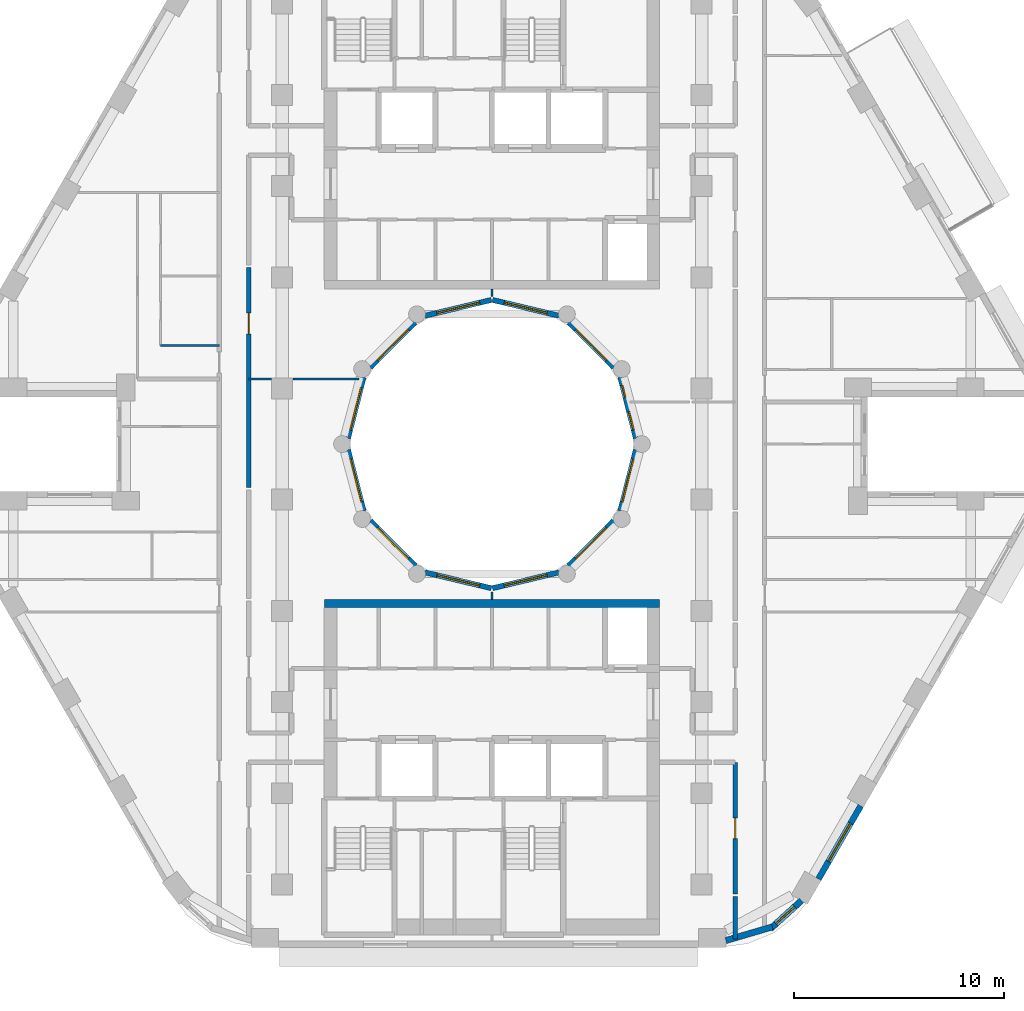
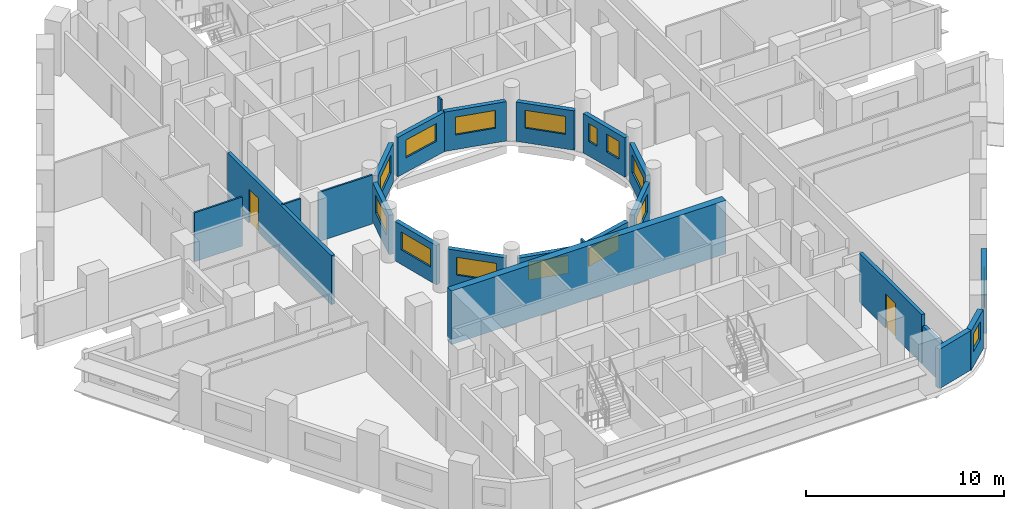
# One storey, part 5 of 14: 24 walls, 15 windows, 2 doors, 17 openings.
"""IFC4 building model written with IfcOpenShell, lengths in metres."""

from ifc_helpers import new_model, si_unit, direction, frame, frame_2d, origin, place, context, subcontext, project, spatial, rectangle, extrude, material, layer, layer_set, type_object, element, fill, save


model = new_model("IFC4")

# Units and contexts
model_context = context("Model", 3, precision=1e-05, world=origin(), true_north=direction((0.0, 1.0)))
body_context = subcontext(model_context, "Body", "Model", "MODEL_VIEW")
ifc_project = project(units=[si_unit("LENGTHUNIT", "METRE"), si_unit("AREAUNIT", "SQUARE_METRE"), si_unit("VOLUMEUNIT", "CUBIC_METRE"), si_unit("PLANEANGLEUNIT", "RADIAN"), si_unit("MASSUNIT", "GRAM", prefix="KILO")], contexts=[model_context])

# Site, building, storey
site_placement = place(None, origin())
site = spatial("IfcSite", under=ifc_project, at=site_placement, CompositionType="ELEMENT")
building_placement = place(site_placement, origin())
building = spatial("IfcBuilding", under=site, at=building_placement, Name="Nakaniwa Court", CompositionType="ELEMENT")
storey_placement = place(building_placement, frame((0.0, 0.0, 160.199951171875)))
storey = spatial("IfcBuildingStorey", under=building, at=storey_placement, Name="L42", CompositionType="ELEMENT", Elevation=160.199951171875)

# Wall
ifc_material_1 = material(Name="Acoustic double stud partition")
ifc_layer_1 = layer(ifc_material_1, 0.199951171875)
ifc_layer_set_1 = layer_set([ifc_layer_1], Name="Acoustic double stud partition")
wall_type_1 = type_object("IfcWallType", Name="Acoustic double stud partition 200", PredefinedType="PARTITIONING", material=ifc_layer_set_1)
wall_1_placement = place(storey_placement, frame((91.60009765625, 56.40087890625, 0.0), z_axis=(0.0, 0.0, 1.0), x_axis=(0.0, 1.0, 0.0)))
element("IfcWall", 1, at=wall_1_placement, inside=storey, type_object=wall_type_1, Name="Partition PW-073", PredefinedType="PARTITIONING", context=body_context, shape_type="SweptSolid", body=[
    extrude(rectangle(XDim=2.02197265625, YDim=0.199951171875, at=frame_2d((1.010986328125, 0.0))), origin(), (0.0, 0.0, 1.0), 2.405029296875),
])

# Wall, opening, door
wall_2_placement = place(storey_placement, frame((91.60009765625, 58.537109375, 0.0), z_axis=(0.0, 0.0, 1.0), x_axis=(0.0, 1.0, 0.0)))
wall_2 = element("IfcWall", 2, at=wall_2_placement, inside=storey, type_object=wall_type_1, Name="Partition PW-074", PredefinedType="PARTITIONING", context=body_context, shape_type="SweptSolid", body=[
    extrude(rectangle(XDim=6.287841796875, YDim=0.199951171875, at=frame_2d((3.14404296875, 0.0))), origin(), (0.0, 0.0, 1.0), 3.025146484375),
])
opening_1_placement = place(wall_2_placement, frame((2.64501953125, 0.0, 0.0)))
opening_1 = element("IfcOpeningElement", 3, at=opening_1_placement, cuts=wall_2, Name="Opening D-02-01", PredefinedType="OPENING", context=body_context, shape_type="SweptSolid", body=[
    extrude(rectangle(XDim=1.0, YDim=2.10009765625, at=frame_2d((0.5, 1.050048828125))), frame((0.0, 0.10986328125, 0.0), z_axis=(0.0, -1.0, 0.0), x_axis=(1.0, 0.0, 0.0)), (0.0, 0.0, 1.0), 0.219970703125),
])
ifc_material_2 = material(Name="Solid core timber door set, black veneer", Category="wood")
door_type = type_object("IfcDoorType", Name="Internal door 1000", OperationType="NOTDEFINED", PredefinedType="DOOR", material=ifc_material_2)
door_1_placement = place(opening_1_placement, origin())
door_1 = element("IfcDoor", 4, at=door_1_placement, inside=storey, type_object=door_type, Name="Door D-02-01 L42-029", OperationType="SINGLE_SWING_RIGHT", OverallHeight=2.10009765625, OverallWidth=1.0, PredefinedType="DOOR", context=body_context, shape_type="SweptSolid", body=[
    extrude(rectangle(XDim=1.0, YDim=2.10009765625, at=frame_2d((0.5, 1.050048828125))), frame((0.0, 0.02490234375, 0.0), z_axis=(0.0, -1.0, 0.0), x_axis=(1.0, 0.0, 0.0)), (0.0, 0.0, 1.0), 0.050048828125),
])
fill(opening_1, door_1)

wall_3_placement = place(storey_placement, frame((68.39990234375, 88.412841796875, 0.0), z_axis=(0.0, 0.0, 1.0), x_axis=(0.0, -1.0, 0.0)))
wall_3 = element("IfcWall", 5, at=wall_3_placement, inside=storey, type_object=wall_type_1, Name="Partition PW-106", PredefinedType="PARTITIONING", context=body_context, shape_type="SweptSolid", body=[
    extrude(rectangle(XDim=10.485595703125, YDim=0.199951171875, at=frame_2d((5.24267578125, 0.0))), origin(), (0.0, 0.0, 1.0), 3.025146484375),
])
opening_2_placement = place(wall_3_placement, frame((2.157958984375, 0.0, 0.0)))
opening_2 = element("IfcOpeningElement", 6, at=opening_2_placement, cuts=wall_3, Name="Opening D-02-07", PredefinedType="OPENING", context=body_context, shape_type="SweptSolid", body=[
    extrude(rectangle(XDim=1.0, YDim=2.10009765625, at=frame_2d((0.5, 1.050048828125))), frame((0.0, 0.10986328125, 0.0), z_axis=(0.0, -1.0, 0.0), x_axis=(1.0, 0.0, 0.0)), (0.0, 0.0, 1.0), 0.219970703125),
])
door_2_placement = place(opening_2_placement, origin())
door_2 = element("IfcDoor", 7, at=door_2_placement, inside=storey, type_object=door_type, Name="Door D-02-07 L42-053", OperationType="SINGLE_SWING_RIGHT", OverallHeight=2.10009765625, OverallWidth=1.0, PredefinedType="DOOR", context=body_context, shape_type="SweptSolid", body=[
    extrude(rectangle(XDim=1.0, YDim=2.10009765625, at=frame_2d((0.5, 1.050048828125))), frame((0.0, 0.02490234375, 0.0), z_axis=(0.0, -1.0, 0.0), x_axis=(1.0, 0.0, 0.0)), (0.0, 0.0, 1.0), 0.050048828125),
])
fill(opening_2, door_2)

# Wall
ifc_material_3 = material(Name="Charcoal ceramic cladding")
ifc_layer_2 = layer(ifc_material_3, 0.02, Name="Ceramic cladding")
ifc_material_4 = material(Name="Ventilated air cavity")
ifc_layer_3 = layer(ifc_material_4, 0.04, ventilated=True, Name="Ventilated cavity")
ifc_material_5 = material(Name="Mineral wool insulation")
ifc_layer_4 = layer(ifc_material_5, 0.1, Name="Insulation")
ifc_material_6 = material(Name="Cement bonded sheathing board")
ifc_layer_5 = layer(ifc_material_6, 0.012, Name="Sheathing")
ifc_material_7 = material(Name="Cold-formed galvanised stud frame with mineral wool infill")
ifc_layer_6 = layer(ifc_material_7, 0.1, Name="Stud frame")
ifc_material_8 = material(Name="Fire-rated gypsum plasterboard lining")
ifc_layer_7 = layer(ifc_material_8, 0.028, Name="Lining")
ifc_layer_set_2 = layer_set([ifc_layer_2, ifc_layer_3, ifc_layer_4, ifc_layer_5, ifc_layer_6, ifc_layer_7], Name="Charcoal ceramic faced external wall system")
wall_type_2 = type_object("IfcWallType", Name="Black ceramic faced external wall 300", PredefinedType="SOLIDWALL", material=ifc_layer_set_2)
wall_4_placement = place(storey_placement, frame((91.1533203125, 56.328125, 0.0), z_axis=(0.0, 0.0, 1.0), x_axis=(0.959473072336, 0.281800325517, 0.0)))
element("IfcWall", 8, at=wall_4_placement, inside=storey, type_object=wall_type_2, Name="L42 external wall 27", PredefinedType="SOLIDWALL", context=body_context, shape_type="SweptSolid", body=[
    extrude(rectangle(XDim=2.3115234375, YDim=0.300048828125, at=frame_2d((1.15576171875, 0.0))), origin(), (0.0, 0.0, 1.0), 2.425048828125),
])

# Wall, opening, window
wall_5_placement = place(storey_placement, frame((93.2783203125, 56.890380859375, 0.0), z_axis=(0.0, 0.0, 1.0), x_axis=(0.740652597499, 0.671888182526, 0.0)))
wall_5 = element("IfcWall", 9, at=wall_5_placement, inside=storey, type_object=wall_type_2, Name="L42 external wall 28", PredefinedType="SOLIDWALL", context=body_context, shape_type="SweptSolid", body=[
    extrude(rectangle(XDim=1.998779296875, YDim=0.300048828125, at=frame_2d((0.99951171875, 0.0))), origin(), (0.0, 0.0, 1.0), 2.425048828125),
])
opening_3_placement = place(wall_5_placement, frame((0.359619140625, 0.0, 0.89990234375)))
opening_3 = element("IfcOpeningElement", 10, at=opening_3_placement, cuts=wall_5, Name="Opening W6.25", PredefinedType="OPENING", context=body_context, shape_type="SweptSolid", body=[
    extrude(rectangle(XDim=1.199951171875, YDim=1.10009765625, at=frame_2d((0.60009765625, 0.550048828125))), frame((0.0, 0.159912109375, 0.0), z_axis=(0.0, -1.0, 0.0), x_axis=(1.0, 0.0, 0.0)), (0.0, 0.0, 1.0), 0.320068359375),
])
ifc_material_9 = material(Name="Black anodised aluminium frame with dark low-E laminated double glazing", Category="aluminium")
window_type_1 = type_object("IfcWindowType", Name="Dark glass window 1200x1100 sill 900", PartitioningType="SINGLE_PANEL", PredefinedType="WINDOW", material=ifc_material_9)
window_1_placement = place(opening_3_placement, origin())
window_1 = element("IfcWindow", 11, at=window_1_placement, inside=storey, type_object=window_type_1, Name="L42 habitable room window 28-0", OverallHeight=1.10009765625, OverallWidth=1.199951171875, PartitioningType="SINGLE_PANEL", PredefinedType="WINDOW", context=body_context, shape_type="SweptSolid", body=[
    extrude(rectangle(XDim=1.199951171875, YDim=1.10009765625, at=frame_2d((0.60009765625, 0.550048828125))), frame((0.0, 0.030029296875, 0.0), z_axis=(0.0, -1.0, 0.0), x_axis=(1.0, 0.0, 0.0)), (0.0, 0.0, 1.0), 0.06005859375),
])
fill(opening_3, window_1)

wall_6_placement = place(storey_placement, frame((95.565185546875, 59.260009765625, 0.0), z_axis=(0.0, 0.0, 1.0), x_axis=(0.500031546601, 0.86600718958, 0.0)))
wall_6 = element("IfcWall", 12, at=wall_6_placement, inside=storey, type_object=wall_type_2, Name="L42 external wall 29", PredefinedType="SOLIDWALL", context=body_context, shape_type="SweptSolid", body=[
    extrude(rectangle(XDim=4.033935546875, YDim=0.300048828125, at=frame_2d((2.01708984375, 0.0))), origin(), (0.0, 0.0, 1.0), 2.425048828125),
])
opening_4_placement = place(wall_6_placement, frame((0.967041015625, 0.0, 0.89990234375)))
opening_4 = element("IfcOpeningElement", 13, at=opening_4_placement, cuts=wall_6, Name="Opening W7.26", PredefinedType="OPENING", context=body_context, shape_type="SweptSolid", body=[
    extrude(rectangle(XDim=2.10009765625, YDim=1.10009765625, at=frame_2d((1.050048828125, 0.550048828125))), frame((0.0, 0.159912109375, 0.0), z_axis=(0.0, -1.0, 0.0), x_axis=(1.0, 0.0, 0.0)), (0.0, 0.0, 1.0), 0.320068359375),
])
window_type_2 = type_object("IfcWindowType", Name="Dark glass window 2100x1100 sill 900", PartitioningType="SINGLE_PANEL", PredefinedType="WINDOW", material=ifc_material_9)
window_2_placement = place(opening_4_placement, origin())
window_2 = element("IfcWindow", 14, at=window_2_placement, inside=storey, type_object=window_type_2, Name="L42 habitable room window 29-0", OverallHeight=1.10009765625, OverallWidth=2.10009765625, PartitioningType="SINGLE_PANEL", PredefinedType="WINDOW", context=body_context, shape_type="SweptSolid", body=[
    extrude(rectangle(XDim=2.10009765625, YDim=1.10009765625, at=frame_2d((1.050048828125, 0.550048828125))), frame((0.0, 0.030029296875, 0.0), z_axis=(0.0, -1.0, 0.0), x_axis=(1.0, 0.0, 0.0)), (0.0, 0.0, 1.0), 0.06005859375),
])
fill(opening_4, window_2)

ifc_layer_8 = layer(ifc_material_3, 0.02, Name="Ceramic cladding")
ifc_layer_9 = layer(ifc_material_4, 0.04, ventilated=True, Name="Ventilated cavity")
ifc_layer_10 = layer(ifc_material_5, 0.075, Name="Insulation")
ifc_layer_11 = layer(ifc_material_6, 0.012, Name="Sheathing")
ifc_layer_12 = layer(ifc_material_7, 0.075, Name="Stud frame")
ifc_layer_13 = layer(ifc_material_8, 0.028, Name="Lining")
ifc_layer_set_3 = layer_set([ifc_layer_8, ifc_layer_9, ifc_layer_10, ifc_layer_11, ifc_layer_12, ifc_layer_13], Name="Charcoal ceramic faced external wall system")
wall_type_3 = type_object("IfcWallType", Name="Charcoal ceramic faced well wall 250", PredefinedType="SOLIDWALL", material=ifc_layer_set_3)
wall_7_placement = place(storey_placement, frame((86.8603515625, 79.72998046875, 0.0), z_axis=(0.0, 0.0, 1.0), x_axis=(-0.247055971283, -0.969001211069, 0.0)))
wall_7 = element("IfcWall", 15, at=wall_7_placement, inside=storey, type_object=wall_type_3, Name="L42 external wall 36", PredefinedType="SOLIDWALL", context=body_context, shape_type="SweptSolid", body=[
    extrude(rectangle(XDim=3.010009765625, YDim=0.25, at=frame_2d((1.5048828125, 0.0))), origin(), (0.0, 0.0, 1.0), 2.425048828125),
])
opening_5_placement = place(wall_7_placement, frame((0.46875, 0.0, 0.89990234375)))
opening_5 = element("IfcOpeningElement", 16, at=opening_5_placement, cuts=wall_7, Name="Opening W7.35", PredefinedType="OPENING", context=body_context, shape_type="SweptSolid", body=[
    extrude(rectangle(XDim=2.10009765625, YDim=1.10009765625, at=frame_2d((1.050048828125, 0.550048828125))), frame((0.0, 0.135009765625, 0.0), z_axis=(0.0, -1.0, 0.0), x_axis=(1.0, 0.0, 0.0)), (0.0, 0.0, 1.0), 0.27001953125),
])
window_3_placement = place(opening_5_placement, origin())
window_3 = element("IfcWindow", 17, at=window_3_placement, inside=storey, type_object=window_type_2, Name="L42 habitable room window 36-0", OverallHeight=1.10009765625, OverallWidth=2.10009765625, PartitioningType="SINGLE_PANEL", PredefinedType="WINDOW", context=body_context, shape_type="SweptSolid", body=[
    extrude(rectangle(XDim=2.10009765625, YDim=1.10009765625, at=frame_2d((1.050048828125, 0.550048828125))), frame((0.0, 0.030029296875, 0.0), z_axis=(0.0, -1.0, 0.0), x_axis=(1.0, 0.0, 0.0)), (0.0, 0.0, 1.0), 0.06005859375),
])
fill(opening_5, window_3)

wall_8_placement = place(storey_placement, frame((85.8056640625, 76.339111328125, 0.0), z_axis=(0.0, 0.0, 1.0), x_axis=(-0.707106781187, -0.707106781187, 0.0)))
wall_8 = element("IfcWall", 18, at=wall_8_placement, inside=storey, type_object=wall_type_3, Name="L42 external wall 37", PredefinedType="SOLIDWALL", context=body_context, shape_type="SweptSolid", body=[
    extrude(rectangle(XDim=3.033203125, YDim=0.25, at=frame_2d((1.5166015625, 0.0))), origin(), (0.0, 0.0, 1.0), 2.425048828125),
])
opening_6_placement = place(wall_8_placement, frame((0.466552734375, 0.0, 0.89990234375)))
opening_6 = element("IfcOpeningElement", 19, at=opening_6_placement, cuts=wall_8, Name="Opening W7.36", PredefinedType="OPENING", context=body_context, shape_type="SweptSolid", body=[
    extrude(rectangle(XDim=2.10009765625, YDim=1.10009765625, at=frame_2d((1.050048828125, 0.550048828125))), frame((0.0, 0.135009765625, 0.0), z_axis=(0.0, -1.0, 0.0), x_axis=(1.0, 0.0, 0.0)), (0.0, 0.0, 1.0), 0.27001953125),
])
window_4_placement = place(opening_6_placement, origin())
window_4 = element("IfcWindow", 20, at=window_4_placement, inside=storey, type_object=window_type_2, Name="L42 habitable room window 37-0", OverallHeight=1.10009765625, OverallWidth=2.10009765625, PartitioningType="SINGLE_PANEL", PredefinedType="WINDOW", context=body_context, shape_type="SweptSolid", body=[
    extrude(rectangle(XDim=2.10009765625, YDim=1.10009765625, at=frame_2d((1.050048828125, 0.550048828125))), frame((0.0, 0.030029296875, 0.0), z_axis=(0.0, -1.0, 0.0), x_axis=(1.0, 0.0, 0.0)), (0.0, 0.0, 1.0), 0.06005859375),
])
fill(opening_6, window_4)

wall_9_placement = place(storey_placement, frame((83.186279296875, 73.880615234375, 0.0), z_axis=(0.0, 0.0, 1.0), x_axis=(-0.972773113459, -0.231759508395, 0.0)))
wall_9 = element("IfcWall", 21, at=wall_9_placement, inside=storey, type_object=wall_type_3, Name="L42 external wall 38", PredefinedType="SOLIDWALL", context=body_context, shape_type="SweptSolid", body=[
    extrude(rectangle(XDim=3.24560546875, YDim=0.25, at=frame_2d((1.622802734375, 0.0))), origin(), (0.0, 0.0, 1.0), 2.425048828125),
])
opening_7_placement = place(wall_9_placement, frame((0.57275390625, 0.0, 0.89990234375)))
opening_7 = element("IfcOpeningElement", 22, at=opening_7_placement, cuts=wall_9, Name="Opening W7.37", PredefinedType="OPENING", context=body_context, shape_type="SweptSolid", body=[
    extrude(rectangle(XDim=2.10009765625, YDim=1.10009765625, at=frame_2d((1.050048828125, 0.550048828125))), frame((0.0, 0.135009765625, 0.0), z_axis=(0.0, -1.0, 0.0), x_axis=(1.0, 0.0, 0.0)), (0.0, 0.0, 1.0), 0.27001953125),
])
window_5_placement = place(opening_7_placement, origin())
window_5 = element("IfcWindow", 23, at=window_5_placement, inside=storey, type_object=window_type_2, Name="L42 habitable room window 38-0", OverallHeight=1.10009765625, OverallWidth=2.10009765625, PartitioningType="SINGLE_PANEL", PredefinedType="WINDOW", context=body_context, shape_type="SweptSolid", body=[
    extrude(rectangle(XDim=2.10009765625, YDim=1.10009765625, at=frame_2d((1.050048828125, 0.550048828125))), frame((0.0, 0.030029296875, 0.0), z_axis=(0.0, -1.0, 0.0), x_axis=(1.0, 0.0, 0.0)), (0.0, 0.0, 1.0), 0.06005859375),
])
fill(opening_7, window_5)

wall_10_placement = place(storey_placement, frame((79.970947265625, 73.12841796875, 0.0), z_axis=(0.0, 0.0, 1.0), x_axis=(-0.972773113459, 0.231759508395, 0.0)))
wall_10 = element("IfcWall", 24, at=wall_10_placement, inside=storey, type_object=wall_type_3, Name="L42 external wall 39", PredefinedType="SOLIDWALL", context=body_context, shape_type="SweptSolid", body=[
    extrude(rectangle(XDim=3.24560546875, YDim=0.25, at=frame_2d((1.622802734375, 0.0))), origin(), (0.0, 0.0, 1.0), 2.425048828125),
])
opening_8_placement = place(wall_10_placement, frame((0.57275390625, 0.0, 0.89990234375)))
opening_8 = element("IfcOpeningElement", 25, at=opening_8_placement, cuts=wall_10, Name="Opening W7.38", PredefinedType="OPENING", context=body_context, shape_type="SweptSolid", body=[
    extrude(rectangle(XDim=2.10009765625, YDim=1.10009765625, at=frame_2d((1.050048828125, 0.550048828125))), frame((0.0, 0.135009765625, 0.0), z_axis=(0.0, -1.0, 0.0), x_axis=(1.0, 0.0, 0.0)), (0.0, 0.0, 1.0), 0.27001953125),
])
window_6_placement = place(opening_8_placement, origin())
window_6 = element("IfcWindow", 26, at=window_6_placement, inside=storey, type_object=window_type_2, Name="L42 habitable room window 39-0", OverallHeight=1.10009765625, OverallWidth=2.10009765625, PartitioningType="SINGLE_PANEL", PredefinedType="WINDOW", context=body_context, shape_type="SweptSolid", body=[
    extrude(rectangle(XDim=2.10009765625, YDim=1.10009765625, at=frame_2d((1.050048828125, 0.550048828125))), frame((0.0, 0.030029296875, 0.0), z_axis=(0.0, -1.0, 0.0), x_axis=(1.0, 0.0, 0.0)), (0.0, 0.0, 1.0), 0.06005859375),
])
fill(opening_8, window_6)

wall_11_placement = place(storey_placement, frame((76.339111328125, 74.1943359375, 0.0), z_axis=(0.0, 0.0, 1.0), x_axis=(-0.707106781187, 0.707106781187, 0.0)))
wall_11 = element("IfcWall", 27, at=wall_11_placement, inside=storey, type_object=wall_type_3, Name="L42 external wall 40", PredefinedType="SOLIDWALL", context=body_context, shape_type="SweptSolid", body=[
    extrude(rectangle(XDim=3.033203125, YDim=0.25, at=frame_2d((1.5166015625, 0.0))), origin(), (0.0, 0.0, 1.0), 2.425048828125),
])
opening_9_placement = place(wall_11_placement, frame((0.466552734375, 0.0, 0.89990234375)))
opening_9 = element("IfcOpeningElement", 28, at=opening_9_placement, cuts=wall_11, Name="Opening W7.39", PredefinedType="OPENING", context=body_context, shape_type="SweptSolid", body=[
    extrude(rectangle(XDim=2.10009765625, YDim=1.10009765625, at=frame_2d((1.050048828125, 0.550048828125))), frame((0.0, 0.135009765625, 0.0), z_axis=(0.0, -1.0, 0.0), x_axis=(1.0, 0.0, 0.0)), (0.0, 0.0, 1.0), 0.27001953125),
])
window_7_placement = place(opening_9_placement, origin())
window_7 = element("IfcWindow", 29, at=window_7_placement, inside=storey, type_object=window_type_2, Name="L42 habitable room window 40-0", OverallHeight=1.10009765625, OverallWidth=2.10009765625, PartitioningType="SINGLE_PANEL", PredefinedType="WINDOW", context=body_context, shape_type="SweptSolid", body=[
    extrude(rectangle(XDim=2.10009765625, YDim=1.10009765625, at=frame_2d((1.050048828125, 0.550048828125))), frame((0.0, 0.030029296875, 0.0), z_axis=(0.0, -1.0, 0.0), x_axis=(1.0, 0.0, 0.0)), (0.0, 0.0, 1.0), 0.06005859375),
])
fill(opening_9, window_7)

wall_12_placement = place(storey_placement, frame((73.88330078125, 76.813232421875, 0.0), z_axis=(0.0, 0.0, 1.0), x_axis=(-0.247055971283, 0.969001211069, 0.0)))
wall_12 = element("IfcWall", 30, at=wall_12_placement, inside=storey, type_object=wall_type_3, Name="L42 external wall 41", PredefinedType="SOLIDWALL", context=body_context, shape_type="SweptSolid", body=[
    extrude(rectangle(XDim=3.010009765625, YDim=0.25, at=frame_2d((1.5048828125, 0.0))), origin(), (0.0, 0.0, 1.0), 2.425048828125),
])
opening_10_placement = place(wall_12_placement, frame((0.441162109375, 0.0, 0.89990234375)))
opening_10 = element("IfcOpeningElement", 31, at=opening_10_placement, cuts=wall_12, Name="Opening W7.40", PredefinedType="OPENING", context=body_context, shape_type="SweptSolid", body=[
    extrude(rectangle(XDim=2.10009765625, YDim=1.10009765625, at=frame_2d((1.050048828125, 0.550048828125))), frame((0.0, 0.135009765625, 0.0), z_axis=(0.0, -1.0, 0.0), x_axis=(1.0, 0.0, 0.0)), (0.0, 0.0, 1.0), 0.27001953125),
])
window_8_placement = place(opening_10_placement, origin())
window_8 = element("IfcWindow", 32, at=window_8_placement, inside=storey, type_object=window_type_2, Name="L42 habitable room window 41-0", OverallHeight=1.10009765625, OverallWidth=2.10009765625, PartitioningType="SINGLE_PANEL", PredefinedType="WINDOW", context=body_context, shape_type="SweptSolid", body=[
    extrude(rectangle(XDim=2.10009765625, YDim=1.10009765625, at=frame_2d((1.050048828125, 0.550048828125))), frame((0.0, 0.030029296875, 0.0), z_axis=(0.0, -1.0, 0.0), x_axis=(1.0, 0.0, 0.0)), (0.0, 0.0, 1.0), 0.06005859375),
])
fill(opening_10, window_8)

wall_13_placement = place(storey_placement, frame((73.1396484375, 80.27001953125, 0.0), z_axis=(0.0, 0.0, 1.0), x_axis=(0.247055971283, 0.969001211069, 0.0)))
wall_13 = element("IfcWall", 33, at=wall_13_placement, inside=storey, type_object=wall_type_3, Name="L42 external wall 42", PredefinedType="SOLIDWALL", context=body_context, shape_type="SweptSolid", body=[
    extrude(rectangle(XDim=3.010009765625, YDim=0.25, at=frame_2d((1.5048828125, 0.0))), origin(), (0.0, 0.0, 1.0), 2.425048828125),
])
opening_11_placement = place(wall_13_placement, frame((0.400634765625, 0.0, 0.89990234375)))
opening_11 = element("IfcOpeningElement", 34, at=opening_11_placement, cuts=wall_13, Name="Opening W7.41", PredefinedType="OPENING", context=body_context, shape_type="SweptSolid", body=[
    extrude(rectangle(XDim=2.10009765625, YDim=1.10009765625, at=frame_2d((1.050048828125, 0.550048828125))), frame((0.0, 0.135009765625, 0.0), z_axis=(0.0, -1.0, 0.0), x_axis=(1.0, 0.0, 0.0)), (0.0, 0.0, 1.0), 0.27001953125),
])
window_9_placement = place(opening_11_placement, origin())
window_9 = element("IfcWindow", 35, at=window_9_placement, inside=storey, type_object=window_type_2, Name="L42 habitable room window 42-0", OverallHeight=1.10009765625, OverallWidth=2.10009765625, PartitioningType="SINGLE_PANEL", PredefinedType="WINDOW", context=body_context, shape_type="SweptSolid", body=[
    extrude(rectangle(XDim=2.10009765625, YDim=1.10009765625, at=frame_2d((1.050048828125, 0.550048828125))), frame((0.0, 0.030029296875, 0.0), z_axis=(0.0, -1.0, 0.0), x_axis=(1.0, 0.0, 0.0)), (0.0, 0.0, 1.0), 0.06005859375),
])
fill(opening_11, window_9)

wall_14_placement = place(storey_placement, frame((74.1943359375, 83.660888671875, 0.0), z_axis=(0.0, 0.0, 1.0), x_axis=(0.707106781187, 0.707106781187, 0.0)))
wall_14 = element("IfcWall", 36, at=wall_14_placement, inside=storey, type_object=wall_type_3, Name="L42 external wall 43", PredefinedType="SOLIDWALL", context=body_context, shape_type="SweptSolid", body=[
    extrude(rectangle(XDim=3.033203125, YDim=0.25, at=frame_2d((1.5166015625, 0.0))), origin(), (0.0, 0.0, 1.0), 2.425048828125),
])
opening_12_placement = place(wall_14_placement, frame((0.466552734375, 0.0, 0.89990234375)))
opening_12 = element("IfcOpeningElement", 37, at=opening_12_placement, cuts=wall_14, Name="Opening W7.42", PredefinedType="OPENING", context=body_context, shape_type="SweptSolid", body=[
    extrude(rectangle(XDim=2.10009765625, YDim=1.10009765625, at=frame_2d((1.050048828125, 0.550048828125))), frame((0.0, 0.135009765625, 0.0), z_axis=(0.0, -1.0, 0.0), x_axis=(1.0, 0.0, 0.0)), (0.0, 0.0, 1.0), 0.27001953125),
])
window_10_placement = place(opening_12_placement, origin())
window_10 = element("IfcWindow", 38, at=window_10_placement, inside=storey, type_object=window_type_2, Name="L42 habitable room window 43-0", OverallHeight=1.10009765625, OverallWidth=2.10009765625, PartitioningType="SINGLE_PANEL", PredefinedType="WINDOW", context=body_context, shape_type="SweptSolid", body=[
    extrude(rectangle(XDim=2.10009765625, YDim=1.10009765625, at=frame_2d((1.050048828125, 0.550048828125))), frame((0.0, 0.030029296875, 0.0), z_axis=(0.0, -1.0, 0.0), x_axis=(1.0, 0.0, 0.0)), (0.0, 0.0, 1.0), 0.06005859375),
])
fill(opening_12, window_10)

wall_15_placement = place(storey_placement, frame((76.813720703125, 86.119384765625, 0.0), z_axis=(0.0, 0.0, 1.0), x_axis=(0.972773113459, 0.231759508395, 0.0)))
wall_15 = element("IfcWall", 39, at=wall_15_placement, inside=storey, type_object=wall_type_3, Name="L42 external wall 44", PredefinedType="SOLIDWALL", context=body_context, shape_type="SweptSolid", body=[
    extrude(rectangle(XDim=3.24560546875, YDim=0.25, at=frame_2d((1.622802734375, 0.0))), origin(), (0.0, 0.0, 1.0), 2.425048828125),
])
opening_13_placement = place(wall_15_placement, frame((0.57275390625, 0.0, 0.89990234375)))
opening_13 = element("IfcOpeningElement", 40, at=opening_13_placement, cuts=wall_15, Name="Opening W7.43", PredefinedType="OPENING", context=body_context, shape_type="SweptSolid", body=[
    extrude(rectangle(XDim=2.10009765625, YDim=1.10009765625, at=frame_2d((1.050048828125, 0.550048828125))), frame((0.0, 0.135009765625, 0.0), z_axis=(0.0, -1.0, 0.0), x_axis=(1.0, 0.0, 0.0)), (0.0, 0.0, 1.0), 0.27001953125),
])
window_11_placement = place(opening_13_placement, origin())
window_11 = element("IfcWindow", 41, at=window_11_placement, inside=storey, type_object=window_type_2, Name="L42 habitable room window 44-0", OverallHeight=1.10009765625, OverallWidth=2.10009765625, PartitioningType="SINGLE_PANEL", PredefinedType="WINDOW", context=body_context, shape_type="SweptSolid", body=[
    extrude(rectangle(XDim=2.10009765625, YDim=1.10009765625, at=frame_2d((1.050048828125, 0.550048828125))), frame((0.0, 0.030029296875, 0.0), z_axis=(0.0, -1.0, 0.0), x_axis=(1.0, 0.0, 0.0)), (0.0, 0.0, 1.0), 0.06005859375),
])
fill(opening_13, window_11)

wall_16_placement = place(storey_placement, frame((80.029052734375, 86.87158203125, 0.0), z_axis=(0.0, 0.0, 1.0), x_axis=(0.972773113459, -0.231759508395, 0.0)))
wall_16 = element("IfcWall", 42, at=wall_16_placement, inside=storey, type_object=wall_type_3, Name="L42 external wall 45", PredefinedType="SOLIDWALL", context=body_context, shape_type="SweptSolid", body=[
    extrude(rectangle(XDim=3.24560546875, YDim=0.25, at=frame_2d((1.622802734375, 0.0))), origin(), (0.0, 0.0, 1.0), 2.425048828125),
])
opening_14_placement = place(wall_16_placement, frame((0.57275390625, 0.0, 0.89990234375)))
opening_14 = element("IfcOpeningElement", 43, at=opening_14_placement, cuts=wall_16, Name="Opening W7.44", PredefinedType="OPENING", context=body_context, shape_type="SweptSolid", body=[
    extrude(rectangle(XDim=2.10009765625, YDim=1.10009765625, at=frame_2d((1.050048828125, 0.550048828125))), frame((0.0, 0.135009765625, 0.0), z_axis=(0.0, -1.0, 0.0), x_axis=(1.0, 0.0, 0.0)), (0.0, 0.0, 1.0), 0.27001953125),
])
window_12_placement = place(opening_14_placement, origin())
window_12 = element("IfcWindow", 44, at=window_12_placement, inside=storey, type_object=window_type_2, Name="L42 habitable room window 45-0", OverallHeight=1.10009765625, OverallWidth=2.10009765625, PartitioningType="SINGLE_PANEL", PredefinedType="WINDOW", context=body_context, shape_type="SweptSolid", body=[
    extrude(rectangle(XDim=2.10009765625, YDim=1.10009765625, at=frame_2d((1.050048828125, 0.550048828125))), frame((0.0, 0.030029296875, 0.0), z_axis=(0.0, -1.0, 0.0), x_axis=(1.0, 0.0, 0.0)), (0.0, 0.0, 1.0), 0.06005859375),
])
fill(opening_14, window_12)

wall_17_placement = place(storey_placement, frame((83.660888671875, 85.8056640625, 0.0), z_axis=(0.0, 0.0, 1.0), x_axis=(0.707106781187, -0.707106781187, 0.0)))
wall_17 = element("IfcWall", 45, at=wall_17_placement, inside=storey, type_object=wall_type_3, Name="L42 external wall 46", PredefinedType="SOLIDWALL", context=body_context, shape_type="SweptSolid", body=[
    extrude(rectangle(XDim=3.033203125, YDim=0.25, at=frame_2d((1.5166015625, 0.0))), origin(), (0.0, 0.0, 1.0), 2.425048828125),
])
opening_15_placement = place(wall_17_placement, frame((0.466552734375, 0.0, 0.89990234375)))
opening_15 = element("IfcOpeningElement", 46, at=opening_15_placement, cuts=wall_17, Name="Opening W7.45", PredefinedType="OPENING", context=body_context, shape_type="SweptSolid", body=[
    extrude(rectangle(XDim=2.10009765625, YDim=1.10009765625, at=frame_2d((1.050048828125, 0.550048828125))), frame((0.0, 0.135009765625, 0.0), z_axis=(0.0, -1.0, 0.0), x_axis=(1.0, 0.0, 0.0)), (0.0, 0.0, 1.0), 0.27001953125),
])
window_13_placement = place(opening_15_placement, origin())
window_13 = element("IfcWindow", 47, at=window_13_placement, inside=storey, type_object=window_type_2, Name="L42 habitable room window 46-0", OverallHeight=1.10009765625, OverallWidth=2.10009765625, PartitioningType="SINGLE_PANEL", PredefinedType="WINDOW", context=body_context, shape_type="SweptSolid", body=[
    extrude(rectangle(XDim=2.10009765625, YDim=1.10009765625, at=frame_2d((1.050048828125, 0.550048828125))), frame((0.0, 0.030029296875, 0.0), z_axis=(0.0, -1.0, 0.0), x_axis=(1.0, 0.0, 0.0)), (0.0, 0.0, 1.0), 0.06005859375),
])
fill(opening_15, window_13)

# Wall, openings, windows
wall_18_placement = place(storey_placement, frame((86.11669921875, 83.186767578125, 0.0), z_axis=(0.0, 0.0, 1.0), x_axis=(0.247055971283, -0.969001211069, 0.0)))
wall_18 = element("IfcWall", 48, at=wall_18_placement, inside=storey, type_object=wall_type_3, Name="L42 external wall 47", PredefinedType="SOLIDWALL", context=body_context, shape_type="SweptSolid", body=[
    extrude(rectangle(XDim=3.010009765625, YDim=0.25, at=frame_2d((1.5048828125, 0.0))), origin(), (0.0, 0.0, 1.0), 2.425048828125),
])
opening_16_placement = place(wall_18_placement, frame((0.3916015625, 0.0, 0.89990234375)))
opening_16 = element("IfcOpeningElement", 49, at=opening_16_placement, cuts=wall_18, Name="Opening W8.46", PredefinedType="OPENING", context=body_context, shape_type="SweptSolid", body=[
    extrude(rectangle(XDim=0.60009765625, YDim=1.10009765625, at=frame_2d((0.300048828125, 0.550048828125))), frame((0.0, 0.135009765625, 0.0), z_axis=(0.0, -1.0, 0.0), x_axis=(1.0, 0.0, 0.0)), (0.0, 0.0, 1.0), 0.27001953125),
])
opening_17_placement = place(wall_18_placement, frame((1.69140625, 0.0, 0.89990234375)))
opening_17 = element("IfcOpeningElement", 50, at=opening_17_placement, cuts=wall_18, Name="Opening W9.47", PredefinedType="OPENING", context=body_context, shape_type="SweptSolid", body=[
    extrude(rectangle(XDim=0.89990234375, YDim=1.10009765625, at=frame_2d((0.449951171875, 0.550048828125))), frame((0.0, 0.135009765625, 0.0), z_axis=(0.0, -1.0, 0.0), x_axis=(1.0, 0.0, 0.0)), (0.0, 0.0, 1.0), 0.27001953125),
])
window_type_3 = type_object("IfcWindowType", Name="Dark glass window 600x1100 sill 900", PartitioningType="SINGLE_PANEL", PredefinedType="WINDOW", material=ifc_material_9)
window_14_placement = place(opening_16_placement, origin())
window_14 = element("IfcWindow", 51, at=window_14_placement, inside=storey, type_object=window_type_3, Name="L42 habitable room window 47-0", OverallHeight=1.10009765625, OverallWidth=0.60009765625, PartitioningType="SINGLE_PANEL", PredefinedType="WINDOW", context=body_context, shape_type="SweptSolid", body=[
    extrude(rectangle(XDim=0.60009765625, YDim=1.10009765625, at=frame_2d((0.300048828125, 0.550048828125))), frame((0.0, 0.030029296875, 0.0), z_axis=(0.0, -1.0, 0.0), x_axis=(1.0, 0.0, 0.0)), (0.0, 0.0, 1.0), 0.06005859375),
])
fill(opening_16, window_14)
window_type_4 = type_object("IfcWindowType", Name="Dark glass window 900x1100 sill 900", PartitioningType="SINGLE_PANEL", PredefinedType="WINDOW", material=ifc_material_9)
window_15_placement = place(opening_17_placement, origin())
window_15 = element("IfcWindow", 52, at=window_15_placement, inside=storey, type_object=window_type_4, Name="L42 habitable room window 47-1", OverallHeight=1.10009765625, OverallWidth=0.89990234375, PartitioningType="SINGLE_PANEL", PredefinedType="WINDOW", context=body_context, shape_type="SweptSolid", body=[
    extrude(rectangle(XDim=0.89990234375, YDim=1.10009765625, at=frame_2d((0.449951171875, 0.550048828125))), frame((0.0, 0.030029296875, 0.0), z_axis=(0.0, -1.0, 0.0), x_axis=(1.0, 0.0, 0.0)), (0.0, 0.0, 1.0), 0.06005859375),
])
fill(opening_17, window_15)

# Walls
ifc_material_10 = material(Name="Concrete C80/100", Category="concrete")
ifc_layer_14 = layer(ifc_material_10, 0.39990234375)
ifc_layer_set_4 = layer_set([ifc_layer_14], Name="Concrete C80/100")
wall_type_4 = type_object("IfcWallType", Name="Concrete core well wall 400 C80", PredefinedType="SHEAR", material=ifc_layer_set_4)
wall_19_placement = place(storey_placement, frame((72.00390625, 72.39990234375, -0.27490234375), z_axis=(0.0, 0.0, 1.0), x_axis=(1.0, 0.0, 0.0)))
element("IfcWall", 53, at=wall_19_placement, inside=storey, type_object=wall_type_4, Name="Core wall SW-144", PredefinedType="SHEAR", context=body_context, shape_type="SweptSolid", body=[
    extrude(rectangle(XDim=15.9921875, YDim=0.39990234375, at=frame_2d((7.99609375, 0.0))), origin(), (0.0, 0.0, 1.0), 3.300048828125),
])
ifc_material_11 = material(Name="Single stud plasterboard partition")
ifc_layer_15 = layer(ifc_material_11, 0.10009765625)
ifc_layer_set_5 = layer_set([ifc_layer_15], Name="Single stud plasterboard partition")
wall_type_5 = type_object("IfcWallType", Name="Single stud plasterboard partition 100", PredefinedType="PARTITIONING", material=ifc_layer_set_5)
for number, where, z_axis, x_axis, name in (
    (54, (80.0, 72.60009765625, 0.0), (0.0, 0.0, 1.0), (0.0, 1.0, 0.0), "Partition PW-116"),
    (55, (80.0, 87.048095703125, 0.0), (0.0, 0.0, 1.0), (0.0, 1.0, 0.0), "Partition PW-117"),
):
    element("IfcWall", number, at=place(storey_placement, frame(where, z_axis=z_axis, x_axis=x_axis)), inside=storey, type_object=wall_type_5, Name=name, PredefinedType="PARTITIONING", context=body_context, shape_type="SweptSolid", body=[
        extrude(rectangle(XDim=0.351806640625, YDim=0.10009765625, at=frame_2d((0.17578125, 0.0))), origin(), (0.0, 0.0, 1.0), 3.025146484375),
    ])
wall_20_placement = place(storey_placement, frame((68.40087890625, 83.10009765625, 0.0), z_axis=(0.0, 0.0, 1.0), x_axis=(1.0, 0.0, 0.0)))
element("IfcWall", 56, at=wall_20_placement, inside=storey, type_object=wall_type_5, Name="Partition PW-132", PredefinedType="PARTITIONING", context=body_context, shape_type="SweptSolid", body=[
    extrude(rectangle(XDim=1.0791015625, YDim=0.10009765625, at=frame_2d((0.53955078125, 0.0))), origin(), (0.0, 0.0, 1.0), 3.025146484375),
])
wall_21_placement = place(storey_placement, frame((70.52001953125, 83.10009765625, 0.0), z_axis=(0.0, 0.0, 1.0), x_axis=(1.0, 0.0, 0.0)))
element("IfcWall", 57, at=wall_21_placement, inside=storey, type_object=wall_type_5, Name="Partition PW-133", PredefinedType="PARTITIONING", context=body_context, shape_type="SweptSolid", body=[
    extrude(rectangle(XDim=3.15185546875, YDim=0.10009765625, at=frame_2d((1.575927734375, 0.0))), origin(), (0.0, 0.0, 1.0), 3.025146484375),
])
wall_22_placement = place(storey_placement, frame((64.198974609375, 84.699951171875, 0.0), z_axis=(0.0, 0.0, 1.0), x_axis=(1.0, 0.0, 0.0)))
element("IfcWall", 58, at=wall_22_placement, inside=storey, type_object=wall_type_5, Name="Partition PW-140", PredefinedType="PARTITIONING", context=body_context, shape_type="SweptSolid", body=[
    extrude(rectangle(XDim=2.800048828125, YDim=0.10009765625, at=frame_2d((1.39990234375, 0.0))), origin(), (0.0, 0.0, 1.0), 3.025146484375),
])

save(model, "model.ifc")
